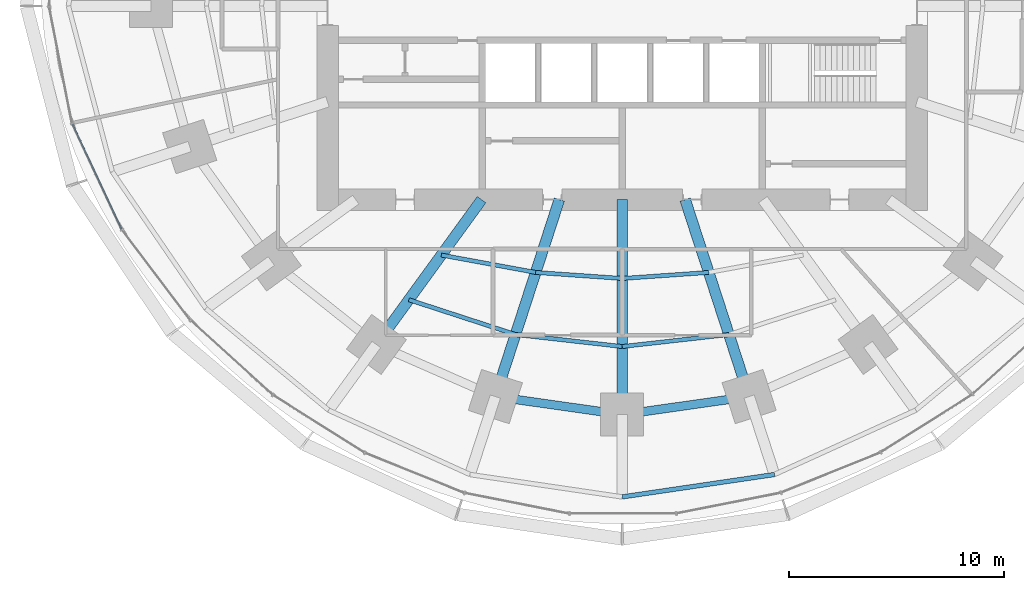
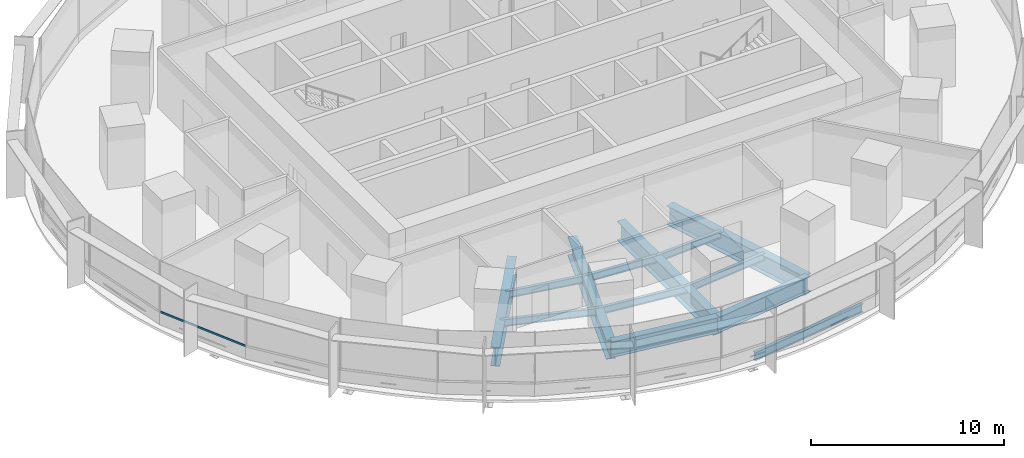
# One storey, part 3 of 15: 13 beams, 1 member, 1 element without a shape of its own.
"""IFC4 building model written with IfcOpenShell, lengths in metres."""

import ifcopenshell
import ifcopenshell.guid

model = None  # the IFC model being written
_history = None  # IfcOwnerHistory: only IFC2X3 demands one
_inside = {}  # id of a spatial element -> (the spatial element, [elements in it])
_under = {}  # id of a project, library or spatial element -> (it, [spatial elements below it])
_declared = {}  # id of a project -> (the project, [libraries it declares])
_typed = {}  # id of a type object -> (the type object, [elements of that type])
_made_of = {}  # id of a material, layer set ... -> (it, [elements and type objects made of it])


def new_model(schema):
    """Start an empty IFC model of exactly this schema.

    Asked for "IFC4X3", IfcOpenShell would pick the latest addendum, in which some entities
    have other attributes; the version numbers below select the first issue.
    IFC2X3 requires an IfcOwnerHistory on every rooted entity: one is made here for all.
    """
    global model, _history
    if schema == "IFC4X3":
        model = ifcopenshell.file(schema_version=(4, 3, 0, 0))
    else:
        model = ifcopenshell.file(schema=schema)
    _inside.clear()
    _under.clear()
    _declared.clear()
    _typed.clear()
    _made_of.clear()
    _history = None
    if model.schema == "IFC2X3":
        org = make("IfcOrganization", Name="unknown")
        user = make(
            "IfcPersonAndOrganization",
            ThePerson=make("IfcPerson", FamilyName="unknown"),
            TheOrganization=org,
        )
        app = make(
            "IfcApplication",
            ApplicationDeveloper=org,
            Version="unknown",
            ApplicationFullName="unknown",
            ApplicationIdentifier="unknown",
        )
        _history = make(
            "IfcOwnerHistory",
            OwningUser=user,
            OwningApplication=app,
            ChangeAction="ADDED",
            CreationDate=0,
        )
    return model


def make(cls, **values):
    """One entity of the class cls with the attributes given. An attribute that is None is left unset."""
    return model.create_entity(
        cls, **{name: value for name, value in values.items() if value is not None}
    )


def rooted(cls, **values):
    """An entity with a GlobalId (a new one), such as an element, a storey or a relation."""
    return make(cls, GlobalId=ifcopenshell.guid.new(), OwnerHistory=_history, **values)


def si_unit(unit_type, name, prefix=None):
    """IfcSIUnit, for example si_unit("LENGTHUNIT", "METRE", prefix="MILLI")."""
    return make("IfcSIUnit", UnitType=unit_type, Prefix=prefix, Name=name)


def assignment(units):
    """IfcUnitAssignment: the units of a project."""
    return None if units is None else make("IfcUnitAssignment", Units=units)


def point(xyz):
    """IfcCartesianPoint."""
    return None if xyz is None else make("IfcCartesianPoint", Coordinates=xyz)


def direction(xyz):
    """IfcDirection."""
    return None if xyz is None else make("IfcDirection", DirectionRatios=xyz)


def frame(location, z_axis=None, x_axis=None):
    """IfcAxis2Placement3D, a coordinate frame: its origin and axes. An axis left out is left unset."""
    return make(
        "IfcAxis2Placement3D",
        Location=point(location),
        Axis=direction(z_axis),
        RefDirection=direction(x_axis),
    )


def frame_2d(location, x_axis=None):
    """IfcAxis2Placement2D, a coordinate frame in the plane: its origin and x axis."""
    return make(
        "IfcAxis2Placement2D", Location=point(location), RefDirection=direction(x_axis)
    )


def origin():
    """The frame at (0, 0, 0) with its axes left unset."""
    return frame((0.0, 0.0, 0.0))


def origin_2d():
    """The frame at (0, 0) in the plane with its x axis left unset."""
    return frame_2d((0.0, 0.0))


def place(relative_to, where):
    """IfcLocalPlacement: puts the frame where relative to a parent placement (None: the world)."""
    return make(
        "IfcLocalPlacement", PlacementRelTo=relative_to, RelativePlacement=where
    )


def context(
    kind, dimensions, precision=None, world=None, true_north=None, identifier=None
):
    """IfcGeometricRepresentationContext, for example the 3D "Model" context."""
    return make(
        "IfcGeometricRepresentationContext",
        ContextIdentifier=identifier,
        ContextType=kind,
        CoordinateSpaceDimension=dimensions,
        Precision=precision,
        WorldCoordinateSystem=world,
        TrueNorth=true_north,
    )


def subcontext(parent, identifier, kind, view, scale=None):
    """IfcGeometricRepresentationSubContext, for example "Body" below "Model"."""
    return make(
        "IfcGeometricRepresentationSubContext",
        ContextIdentifier=identifier,
        ContextType=kind,
        ParentContext=parent,
        TargetScale=scale,
        TargetView=view,
    )


def project(units=None, contexts=None):
    """IfcProject with its units and contexts."""
    return rooted(
        "IfcProject",
        Name="project",
        RepresentationContexts=contexts,
        UnitsInContext=assignment(units),
    )


def spatial(cls, under=None, at=None, **own):
    """A site, building, storey or space (cls), placed at a placement, below another one or the project."""
    s = rooted(cls, ObjectPlacement=at, **own)
    if under is not None:
        _under.setdefault(under.id(), (under, []))[1].append(s)
    return s


def profile(cls, at=None, kind="AREA", **sizes):
    """A parametric profile (cls). Its sizes go by their IFC names, for example OverallWidth=200.0."""
    return make(cls, ProfileType=kind, Position=at, **sizes)


def rectangle(**sizes):
    """IfcRectangleProfileDef."""
    return profile("IfcRectangleProfileDef", **sizes)


def i_section(**sizes):
    """IfcIShapeProfileDef."""
    return profile("IfcIShapeProfileDef", **sizes)


def extrude(swept, where, along, depth):
    """IfcExtrudedAreaSolid: the profile swept, set in the frame where, extruded along a direction by depth."""
    return make(
        "IfcExtrudedAreaSolid",
        SweptArea=swept,
        Position=where,
        ExtrudedDirection=direction(along),
        Depth=depth,
    )


def shape(context_of_items, identifier, shape_type, items):
    """IfcShapeRepresentation: the items that make up one representation, for example the "Body"."""
    return make(
        "IfcShapeRepresentation",
        ContextOfItems=context_of_items,
        RepresentationIdentifier=identifier,
        RepresentationType=shape_type,
        Items=items,
    )


def material(Name=None, Category=None):
    """IfcMaterial."""
    return make("IfcMaterial", Name=Name, Category=Category)


def material_profile(
    of_material, cross_section, Name=None, Category=None, Priority=None
):
    """IfcMaterialProfile: a cross section and its material."""
    return make(
        "IfcMaterialProfile",
        Name=Name,
        Material=of_material,
        Profile=cross_section,
        Priority=Priority,
        Category=Category,
    )


def profile_set(profiles, Name=None, composite=None):
    """IfcMaterialProfileSet."""
    return make(
        "IfcMaterialProfileSet",
        Name=Name,
        MaterialProfiles=profiles,
        CompositeProfile=composite,
    )


def made_of(thing, what):
    """Note that an element or type object is made of a material, layer set ...; save() writes the relation."""
    if what is not None:
        _made_of.setdefault(what.id(), (what, []))[1].append(thing)
    return thing


def type_object(cls, material=None, **own):
    """A type object (cls), such as IfcWallType, which elements share."""
    return made_of(rooted(cls, **own), material)


def element(
    cls,
    number,
    at=None,
    inside=None,
    cuts=None,
    type_object=None,
    material=None,
    context=None,
    identifier="Body",
    shape_type=None,
    held_by="IfcProductDefinitionShape",
    body=None,
    shapes=None,
    **own,
):
    """One element of the class cls, such as IfcWall. Its Tag is "e" and its number.

    at: its placement. inside: the storey or other place that contains it. cuts: it is an
    opening in that element (IfcRelVoidsElement). A single representation is given by context,
    identifier, shape_type and body (its items); several are given by shapes. held_by: the class
    of the entity that holds the representations. save() writes the other relations.
    """
    e = rooted(cls, Tag="e%d" % number, ObjectPlacement=at, **own)
    if body is not None:
        shapes = [shape(context, identifier, shape_type, body)]
    if shapes is not None:
        e.Representation = make(held_by, Representations=shapes)
    if inside is not None:
        _inside.setdefault(inside.id(), (inside, []))[1].append(e)
    if cuts is not None:
        rooted(
            "IfcRelVoidsElement", RelatingBuildingElement=cuts, RelatedOpeningElement=e
        )
    if type_object is not None:
        _typed.setdefault(type_object.id(), (type_object, []))[1].append(e)
    return made_of(e, material)


def aggregate(whole, parts):
    """IfcRelAggregates: a whole, such as a stair, and the parts it consists of."""
    return rooted("IfcRelAggregates", RelatingObject=whole, RelatedObjects=parts)


def save(model, path):
    """Write the relations noted so far, then the file.

    IfcRelAggregates (storeys below a building ...), IfcRelContainedInSpatialStructure (elements
    in a storey), IfcRelDefinesByType, IfcRelAssociatesMaterial and IfcRelDeclares: one each for
    every whole, place, type object, material and project.
    """
    for whole, parts in _under.values():
        aggregate(whole, parts)
    for where, things in _inside.values():
        rooted(
            "IfcRelContainedInSpatialStructure",
            RelatedElements=things,
            RelatingStructure=where,
        )
    for kind, things in _typed.values():
        rooted("IfcRelDefinesByType", RelatedObjects=things, RelatingType=kind)
    for what, things in _made_of.values():
        rooted("IfcRelAssociatesMaterial", RelatedObjects=things, RelatingMaterial=what)
    for by, libraries in _declared.values():
        rooted("IfcRelDeclares", RelatingContext=by, RelatedDefinitions=libraries)
    model.write(path)


model = new_model("IFC4")

# Units and contexts
model_context = context("Model", 3, precision=1e-05, world=origin(), true_north=direction((0.0, 1.0)))
body_context = subcontext(model_context, "Body", "Model", "MODEL_VIEW")
ifc_project = project(units=[si_unit("LENGTHUNIT", "METRE"), si_unit("AREAUNIT", "SQUARE_METRE"), si_unit("VOLUMEUNIT", "CUBIC_METRE"), si_unit("PLANEANGLEUNIT", "RADIAN"), si_unit("MASSUNIT", "GRAM", prefix="KILO")], contexts=[model_context])

# Site, building, storey
site_placement = place(None, origin())
site = spatial("IfcSite", under=ifc_project, at=site_placement, CompositionType="ELEMENT")
building_placement = place(site_placement, origin())
building = spatial("IfcBuilding", under=site, at=building_placement, Name="Marramba Exchange Tower", CompositionType="ELEMENT")
storey_placement = place(building_placement, frame((0.0, 0.0, 53.199951171875)))
storey = spatial("IfcBuildingStorey", under=building, at=storey_placement, Name="L12", CompositionType="ELEMENT", Elevation=53.199951171875)

# Beams
ifc_material_1 = material(Name="Steel AS/NZS 3679.1 grade 300", Category="steel")
ifc_material_profile_1 = material_profile(ifc_material_1, i_section(OverallWidth=0.18994140625, OverallDepth=0.4541015625, WebThickness=0.008544921875, FlangeThickness=0.0126953125, FilletRadius=0.011474609375, at=origin_2d()), Name="460UB67.1")
ifc_profile_set_1 = profile_set([ifc_material_profile_1], Name="Steel AS/NZS 3679.1 grade 300")
beam_type_1 = type_object("IfcBeamType", Name="Floor joist 460UB67.1", PredefinedType="JOIST", material=ifc_profile_set_1)
beam_1_placement = place(storey_placement, frame((-8.41162109375, -11.57763671875, -0.386962890625), z_axis=(0.983455754421, -0.181148500119, 0.0), x_axis=(0.181148500119, 0.983455754421, 0.0)))
element("IfcBeam", 1, at=beam_1_placement, inside=storey, type_object=beam_type_1, Name="Joist L12 bay 14 row 1", PredefinedType="JOIST", context=body_context, shape_type="SweptSolid", body=[
    extrude(i_section(OverallWidth=0.18994140625, OverallDepth=0.4541015625, WebThickness=0.008544921875, FlangeThickness=0.0126953125, FilletRadius=0.011474609375, at=origin_2d()), origin(), (0.0, 0.0, 1.0), 4.4609375),
])
beam_2_placement = place(storey_placement, frame((-9.9208984375, -13.655029296875, -0.386962890625), z_axis=(0.950764024931, -0.309915744834, 0.0), x_axis=(0.309915744834, 0.950764024931, 0.0)))
element("IfcBeam", 2, at=beam_2_placement, inside=storey, type_object=beam_type_1, Name="Joist L12 bay 14 row 2", PredefinedType="JOIST", context=body_context, shape_type="SweptSolid", body=[
    extrude(i_section(OverallWidth=0.18994140625, OverallDepth=0.4541015625, WebThickness=0.008544921875, FlangeThickness=0.0126953125, FilletRadius=0.011474609375, at=origin_2d()), origin(), (0.0, 0.0, 1.0), 5.2158203125),
])
beam_3_placement = place(storey_placement, frame((-4.0244140625, -12.3857421875, -0.386962890625), z_axis=(0.99759625901, -0.069294328838, 0.0), x_axis=(0.069294328838, 0.99759625901, 0.0)))
element("IfcBeam", 3, at=beam_3_placement, inside=storey, type_object=beam_type_1, Name="Joist L12 bay 15 row 1", PredefinedType="JOIST", context=body_context, shape_type="SweptSolid", body=[
    extrude(i_section(OverallWidth=0.18994140625, OverallDepth=0.4541015625, WebThickness=0.008544921875, FlangeThickness=0.0126953125, FilletRadius=0.011474609375, at=origin_2d()), origin(), (0.0, 0.0, 1.0), 4.0341796875),
])
beam_4_placement = place(storey_placement, frame((-4.9619140625, -15.271484375, -0.386962890625), z_axis=(0.993712018573, -0.111966174106, 0.0), x_axis=(0.111966174106, 0.993712018573, 0.0)))
element("IfcBeam", 4, at=beam_4_placement, inside=storey, type_object=beam_type_1, Name="Joist L12 bay 15 row 2", PredefinedType="JOIST", context=body_context, shape_type="SweptSolid", body=[
    extrude(i_section(OverallWidth=0.18994140625, OverallDepth=0.4541015625, WebThickness=0.008544921875, FlangeThickness=0.0126953125, FilletRadius=0.011474609375, at=origin_2d()), origin(), (0.0, 0.0, 1.0), 4.993408203125),
])
beam_5_placement = place(storey_placement, frame((0.0, -12.665283203125, -0.386962890625), z_axis=(0.99759625901, 0.069294328838, 0.0), x_axis=(-0.069294328838, 0.99759625901, 0.0)))
element("IfcBeam", 5, at=beam_5_placement, inside=storey, type_object=beam_type_1, Name="Joist L12 bay 16 row 1", PredefinedType="JOIST", context=body_context, shape_type="SweptSolid", body=[
    extrude(i_section(OverallWidth=0.18994140625, OverallDepth=0.4541015625, WebThickness=0.008544921875, FlangeThickness=0.0126953125, FilletRadius=0.011474609375, at=origin_2d()), origin(), (0.0, 0.0, 1.0), 4.0341796875),
])
beam_6_placement = place(storey_placement, frame((0.0, -15.83056640625, -0.386962890625), z_axis=(0.993712018573, 0.111966174106, 0.0), x_axis=(-0.111966174106, 0.993712018573, 0.0)))
element("IfcBeam", 6, at=beam_6_placement, inside=storey, type_object=beam_type_1, Name="Joist L12 bay 16 row 2", PredefinedType="JOIST", context=body_context, shape_type="SweptSolid", body=[
    extrude(i_section(OverallWidth=0.18994140625, OverallDepth=0.4541015625, WebThickness=0.008544921875, FlangeThickness=0.0126953125, FilletRadius=0.011474609375, at=origin_2d()), origin(), (0.0, 0.0, 1.0), 4.993408203125),
])
ifc_material_2 = material(Name="Steel AS/NZS 3679.2 grade 300", Category="steel")
ifc_material_profile_2 = material_profile(ifc_material_2, i_section(OverallWidth=0.5, OverallDepth=1.199951171875, WebThickness=0.01611328125, FlangeThickness=0.0400390625, at=origin_2d()), Name="1200WB455")
ifc_profile_set_2 = profile_set([ifc_material_profile_2], Name="Steel AS/NZS 3679.2 grade 300")
beam_type_2 = type_object("IfcBeamType", Name="Radial girder 1200WB455", PredefinedType="BEAM", material=ifc_profile_set_2)
beam_7_placement = place(storey_placement, frame((-6.538818359375, -9.0, -0.760009765625), z_axis=(-0.587787877172, -0.809015087282, 0.0), x_axis=(0.809015087282, -0.587787877172, 0.0)))
element("IfcBeam", 7, at=beam_7_placement, inside=storey, type_object=beam_type_2, Name="Radial girder L12 TC14", PredefinedType="BEAM", context=body_context, shape_type="SweptSolid", body=[
    extrude(i_section(OverallWidth=0.5, OverallDepth=1.199951171875, WebThickness=0.01611328125, FlangeThickness=0.0400390625, at=origin_2d()), origin(), (0.0, 0.0, 1.0), 8.322021484375),
])
beam_8_placement = place(storey_placement, frame((-2.92431640625, -9.0, -0.760009765625), z_axis=(-0.309022428985, -0.951054750466, 0.0), x_axis=(0.951054750466, -0.309022428985, 0.0)))
element("IfcBeam", 8, at=beam_8_placement, inside=storey, type_object=beam_type_2, Name="Radial girder L12 TC15", PredefinedType="BEAM", context=body_context, shape_type="SweptSolid", body=[
    extrude(i_section(OverallWidth=0.5, OverallDepth=1.199951171875, WebThickness=0.01611328125, FlangeThickness=0.0400390625, at=origin_2d()), origin(), (0.0, 0.0, 1.0), 9.628173828125),
])
beam_9_placement = place(storey_placement, frame((0.0, -9.0, -0.760009765625), z_axis=(0.0, -1.0, 0.0), x_axis=(1.0, 0.0, 0.0)))
element("IfcBeam", 9, at=beam_9_placement, inside=storey, type_object=beam_type_2, Name="Radial girder L12 TC16", PredefinedType="BEAM", context=body_context, shape_type="SweptSolid", body=[
    extrude(i_section(OverallWidth=0.5, OverallDepth=1.199951171875, WebThickness=0.01611328125, FlangeThickness=0.0400390625, at=origin_2d()), origin(), (0.0, 0.0, 1.0), 9.99609375),
])
beam_10_placement = place(storey_placement, frame((2.92431640625, -9.0, -0.760009765625), z_axis=(0.309022428985, -0.951054750466, 0.0), x_axis=(0.951054750466, 0.309022428985, 0.0)))
element("IfcBeam", 10, at=beam_10_placement, inside=storey, type_object=beam_type_2, Name="Radial girder L12 TC17", PredefinedType="BEAM", context=body_context, shape_type="SweptSolid", body=[
    extrude(i_section(OverallWidth=0.5, OverallDepth=1.199951171875, WebThickness=0.01611328125, FlangeThickness=0.0400390625, at=origin_2d()), origin(), (0.0, 0.0, 1.0), 9.628173828125),
])
ifc_material_profile_3 = material_profile(ifc_material_2, i_section(OverallWidth=0.39990234375, OverallDepth=1.0, WebThickness=0.01611328125, FlangeThickness=0.031982421875, at=origin_2d()), Name="1000WB322")
ifc_profile_set_3 = profile_set([ifc_material_profile_3], Name="Steel AS/NZS 3679.2 grade 300")
beam_type_3 = type_object("IfcBeamType", Name="Ring beam 1000WB322", PredefinedType="SPANDREL", material=ifc_profile_set_3)
for number, where, z_axis, x_axis, name in (
    (11, (-5.899658203125, -18.156982421875, -0.659912109375), (0.990036163016, -0.140813337152, 0.0), (0.140813337152, 0.990036163016, 0.0), "Ring beam L12 TC15-TC16"),
    (12, (0.0, -18.99609375, -0.659912109375), (0.990036163016, 0.140813337152, 0.0), (-0.140813337152, 0.990036163016, 0.0), "Ring beam L12 TC16-TC17"),
):
    element("IfcBeam", number, at=place(storey_placement, frame(where, z_axis=z_axis, x_axis=x_axis)), inside=storey, type_object=beam_type_3, Name=name, PredefinedType="SPANDREL", context=body_context, shape_type="SweptSolid", body=[
        extrude(i_section(OverallWidth=0.39990234375, OverallDepth=1.0, WebThickness=0.01611328125, FlangeThickness=0.031982421875, at=origin_2d()), origin(), (0.0, 0.0, 1.0), 5.958984375),
    ])
ifc_material_profile_4 = material_profile(ifc_material_1, i_section(OverallWidth=0.208984375, OverallDepth=0.528076171875, WebThickness=0.009521484375, FlangeThickness=0.01318359375, FilletRadius=0.013916015625, at=origin_2d()), Name="530UB82.0")
ifc_profile_set_4 = profile_set([ifc_material_profile_4], Name="Steel AS/NZS 3679.1 grade 300")
beam_type_4 = type_object("IfcBeamType", Name="Slab edge beam 530UB82.0", PredefinedType="SPANDREL", material=ifc_profile_set_4)
beam_11_placement = place(storey_placement, frame((0.0, -22.822021484375, -0.424072265625), z_axis=(0.989338462178, 0.145634498848, 0.0), x_axis=(-0.145634498848, 0.989338462178, 0.0)))
element("IfcBeam", 13, at=beam_11_placement, inside=storey, type_object=beam_type_4, Name="Slab edge beam L12 TC16-TC17", PredefinedType="SPANDREL", context=body_context, shape_type="SweptSolid", body=[
    extrude(i_section(OverallWidth=0.208984375, OverallDepth=0.528076171875, WebThickness=0.009521484375, FlangeThickness=0.01318359375, FilletRadius=0.013916015625, at=origin_2d()), origin(), (0.0, 0.0, 1.0), 7.153076171875),
])

# Curtain wall, member
ifc_material_3 = material(Name="Aluminium framing, bronze anodised", Category="aluminium")
curtain_wall_type = type_object("IfcCurtainWallType", Name="Trading floor ribbon curtain wall", PredefinedType="USERDEFINED", material=ifc_material_3)
curtain_wall_placement = place(storey_placement, origin())
curtain_wall = element("IfcCurtainWall", 14, at=curtain_wall_placement, inside=storey, type_object=curtain_wall_type, Name="Curtain wall CW3 L12 F16-F20", ObjectType="RIBBON CURTAIN WALL", PredefinedType="USERDEFINED")
ifc_material_4 = material(Name="Aluminium transom, bronze anodised", Category="aluminium")
ifc_material_profile_5 = material_profile(ifc_material_4, rectangle(XDim=0.06005859375, YDim=0.1201171875, at=origin_2d()), Name="CW3 transom 60x120")
ifc_profile_set_5 = profile_set([ifc_material_profile_5], Name="Aluminium transom, bronze anodised")
member_type = type_object("IfcMemberType", Name="Trading floor ribbon curtain wall transom", PredefinedType="USERDEFINED", material=ifc_profile_set_5)
member_placement = place(storey_placement, frame((-25.559326171875, -5.492431640625, 0.830078125), z_axis=(0.423494101671, -0.905898860718, 0.0), x_axis=(0.905898860718, 0.423494101671, 0.0)))
member = element("IfcMember", 15, at=member_placement, type_object=member_type, Name="CW3 sill transom", ObjectType="TRANSOM", PredefinedType="USERDEFINED", context=body_context, shape_type="SweptSolid", body=[
    extrude(rectangle(XDim=0.06005859375, YDim=0.1201171875, at=origin_2d()), origin(), (0.0, 0.0, 1.0), 5.379150390625),
])
aggregate(curtain_wall, [member])

save(model, "model.ifc")
